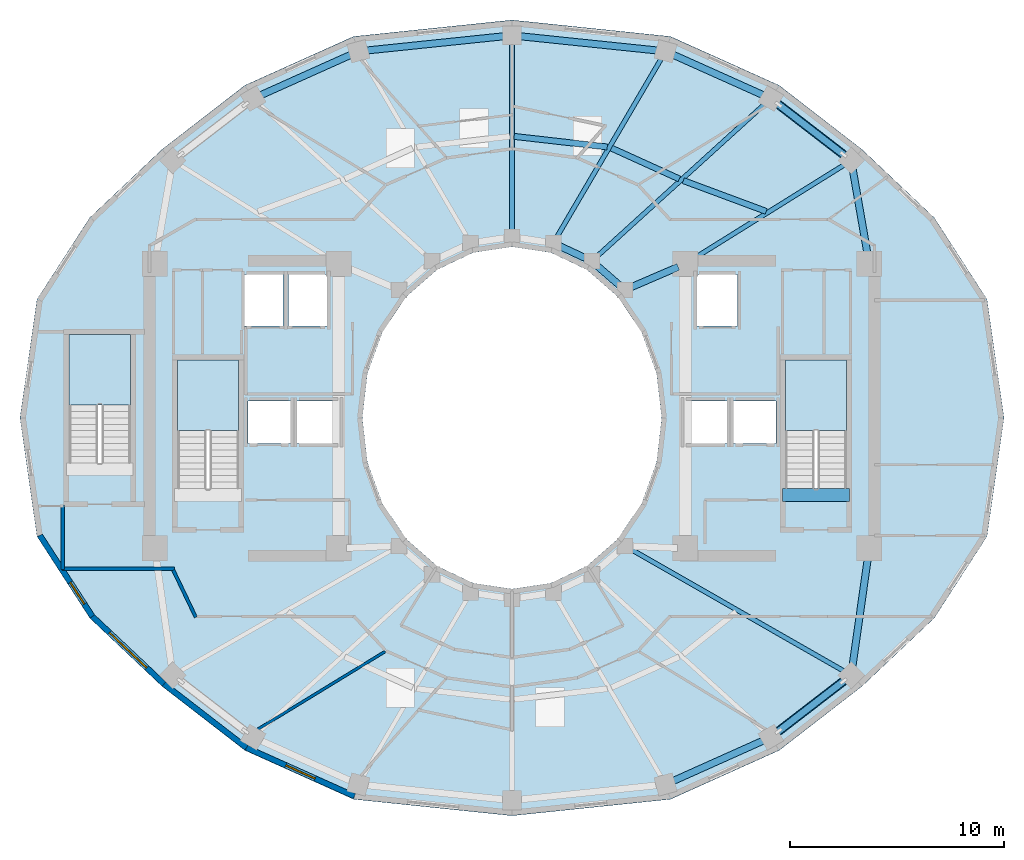
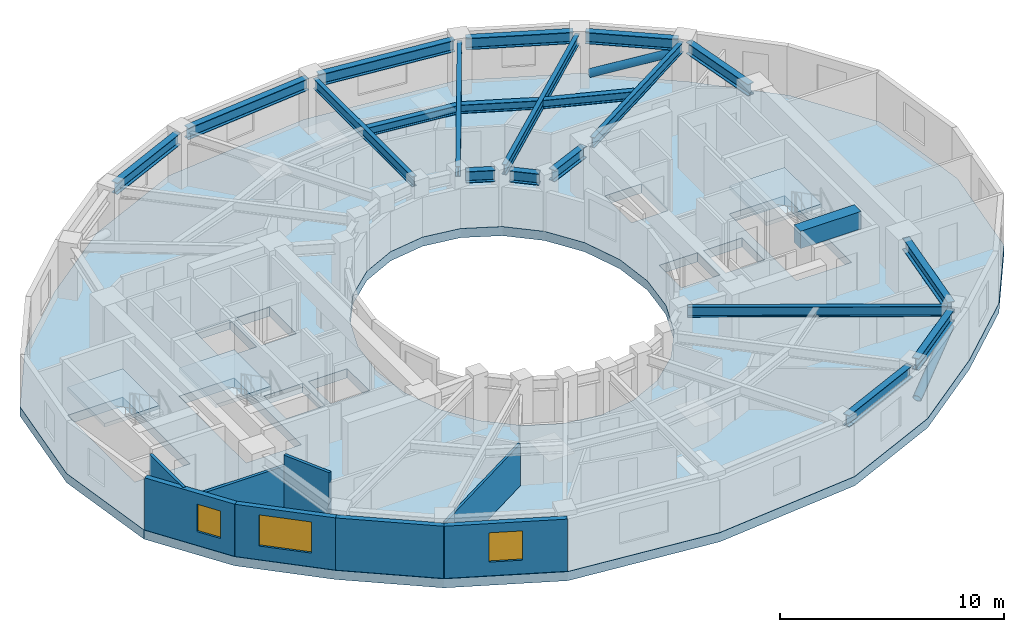
# One storey, part 2 of 9: 21 beams, 8 walls, 4 slabs, 3 windows, 2 members, 3 openings, 3 elements without a shape of their own.
"""IFC4 building model written with IfcOpenShell, lengths in metres."""

from ifc_helpers import new_model, si_unit, direction, frame, frame_2d, origin, origin_2d, place, context, subcontext, project, spatial, polyline, rectangle, hollow_circle, i_section, outline, extrude, material, layer, layer_set, material_profile, profile_set, type_object, element, fill, aggregate, save


model = new_model("IFC4")

# Units and contexts
model_context = context("Model", 3, precision=1e-05, world=origin(), true_north=direction((0.0, 1.0)))
body_context = subcontext(model_context, "Body", "Model", "MODEL_VIEW")
ifc_project = project(units=[si_unit("LENGTHUNIT", "METRE"), si_unit("AREAUNIT", "SQUARE_METRE"), si_unit("VOLUMEUNIT", "CUBIC_METRE"), si_unit("PLANEANGLEUNIT", "RADIAN"), si_unit("MASSUNIT", "GRAM", prefix="KILO")], contexts=[model_context])

# Site, building, storey
site_placement = place(None, origin())
site = spatial("IfcSite", under=ifc_project, at=site_placement, CompositionType="ELEMENT")
building_placement = place(site_placement, origin())
building = spatial("IfcBuilding", under=site, at=building_placement, Name="Solvane Sanctuary Tower", CompositionType="ELEMENT")
storey_placement = place(building_placement, frame((0.0, 0.0, 180.800048828125)))
storey = spatial("IfcBuildingStorey", under=building, at=storey_placement, Name="L55", CompositionType="ELEMENT", Elevation=180.800048828125)

# Beams
ifc_material_1 = material(Name="Concrete C70/85", Category="concrete")
ifc_material_profile_1 = material_profile(ifc_material_1, rectangle(XDim=0.60009765625, YDim=0.949951171875, at=origin_2d()), Name="RC600X950")
ifc_profile_set_1 = profile_set([ifc_material_profile_1], Name="Concrete C70/85")
beam_type_1 = type_object("IfcBeamType", Name="Beam B-COUPLE RC600X950", PredefinedType="LINTEL", material=ifc_profile_set_1)
beam_1_placement = place(storey_placement, frame((44.64990234375, 19.399169921875, 2.625), z_axis=(1.0, 0.0, 0.0), x_axis=(0.0, 1.0, 0.0)))
element("IfcBeam", 1, at=beam_1_placement, inside=storey, type_object=beam_type_1, Name="L55 ST-2 Stair Floor Landing Trimmer", PredefinedType="LINTEL", context=body_context, shape_type="SweptSolid", body=[
    extrude(rectangle(XDim=0.60009765625, YDim=0.949951171875, at=origin_2d()), origin(), (0.0, 0.0, 1.0), 3.1201171875),
])
ifc_material_2 = material(Name="Steel ASTM A992 Grade 50", Category="steel")
ifc_material_profile_2 = material_profile(ifc_material_2, i_section(OverallWidth=0.214111328125, OverallDepth=0.549072265625, WebThickness=0.0146484375, FlangeThickness=0.023681640625, FilletRadius=0.014892578125, at=origin_2d()), Name="W21X93")
ifc_profile_set_2 = profile_set([ifc_material_profile_2], Name="Steel ASTM A992 Grade 50")
beam_type_2 = type_object("IfcBeamType", Name="Beam B-RAD-Z3 W21X93", PredefinedType="JOIST", material=ifc_profile_set_2)
beam_2_placement = place(storey_placement, frame((40.405517578125, 30.390380859375, 2.603515625), z_axis=(0.84882685523, 0.528670946658, 0.0), x_axis=(-0.528670946658, 0.84882685523, 0.0)))
element("IfcBeam", 2, at=beam_2_placement, inside=storey, type_object=beam_type_2, Name="L55 Radial Composite Floor Beam 01", PredefinedType="JOIST", context=body_context, shape_type="SweptSolid", body=[
    extrude(i_section(OverallWidth=0.214111328125, OverallDepth=0.549072265625, WebThickness=0.0146484375, FlangeThickness=0.023681640625, FilletRadius=0.014892578125, at=origin_2d()), origin(), (0.0, 0.0, 1.0), 8.498046875),
])
beam_3_placement = place(storey_placement, frame((35.937255859375, 30.514892578125, 2.603515625), z_axis=(0.74020423772, 0.672382098558, 0.0), x_axis=(-0.672382098558, 0.74020423772, 0.0)))
element("IfcBeam", 3, at=beam_3_placement, inside=storey, type_object=beam_type_2, Name="L55 Radial Composite Floor Beam 02", PredefinedType="JOIST", context=body_context, shape_type="SweptSolid", body=[
    extrude(i_section(OverallWidth=0.214111328125, OverallDepth=0.549072265625, WebThickness=0.0146484375, FlangeThickness=0.023681640625, FilletRadius=0.014892578125, at=origin_2d()), origin(), (0.0, 0.0, 1.0), 10.7451171875),
])
beam_4_placement = place(storey_placement, frame((34.072265625, 31.413330078125, 2.603515625), z_axis=(0.505243742555, 0.862976686017, 0.0), x_axis=(-0.862976686017, 0.505243742555, 0.0)))
element("IfcBeam", 4, at=beam_4_placement, inside=storey, type_object=beam_type_2, Name="L55 Radial Composite Floor Beam 03", PredefinedType="JOIST", context=body_context, shape_type="SweptSolid", body=[
    extrude(i_section(OverallWidth=0.214111328125, OverallDepth=0.549072265625, WebThickness=0.0146484375, FlangeThickness=0.023681640625, FilletRadius=0.014892578125, at=origin_2d()), origin(), (0.0, 0.0, 1.0), 9.826171875),
])
beam_5_placement = place(storey_placement, frame((32.0, 31.739990234375, 2.603515625), z_axis=(0.0, 1.0, 0.0), x_axis=(-1.0, 0.0, 0.0)))
element("IfcBeam", 5, at=beam_5_placement, inside=storey, type_object=beam_type_2, Name="L55 Radial Composite Floor Beam 04", PredefinedType="JOIST", context=body_context, shape_type="SweptSolid", body=[
    extrude(i_section(OverallWidth=0.214111328125, OverallDepth=0.549072265625, WebThickness=0.0146484375, FlangeThickness=0.023681640625, FilletRadius=0.014892578125, at=origin_2d()), origin(), (0.0, 0.0, 1.0), 8.860107421875),
])
beam_6_placement = place(storey_placement, frame((37.51806640625, 16.87890625, 2.603515625), z_axis=(0.86816302692, -0.496279113694, 0.0), x_axis=(0.496279113694, 0.86816302692, 0.0)))
element("IfcBeam", 6, at=beam_6_placement, inside=storey, type_object=beam_type_2, Name="L55 Radial Composite Floor Beam 14", PredefinedType="JOIST", context=body_context, shape_type="SweptSolid", body=[
    extrude(i_section(OverallWidth=0.214111328125, OverallDepth=0.549072265625, WebThickness=0.0146484375, FlangeThickness=0.023681640625, FilletRadius=0.014892578125, at=origin_2d()), origin(), (0.0, 0.0, 1.0), 11.62841796875),
])
ifc_material_profile_3 = material_profile(ifc_material_2, i_section(OverallWidth=0.324951171875, OverallDepth=0.615966796875, WebThickness=0.013916015625, FlangeThickness=0.021484375, FilletRadius=0.01611328125, at=origin_2d()), Name="W24X117")
ifc_profile_set_3 = profile_set([ifc_material_profile_3], Name="Steel ASTM A992 Grade 50")
beam_type_3 = type_object("IfcBeamType", Name="Beam B-RING-IN2 W24X117", PredefinedType="BEAM", material=ifc_profile_set_3)
beam_7_placement = place(storey_placement, frame((34.2431640625, 31.02490234375, 2.570068359375), z_axis=(0.9051808128, -0.425026700502, 0.0), x_axis=(0.425026700502, 0.9051808128, 0.0)))
element("IfcBeam", 7, at=beam_7_placement, inside=storey, type_object=beam_type_3, Name="L55 Inner Light-Well Ring Beam IC03-IC02", PredefinedType="BEAM", context=body_context, shape_type="SweptSolid", body=[
    extrude(i_section(OverallWidth=0.324951171875, OverallDepth=0.615966796875, WebThickness=0.013916015625, FlangeThickness=0.021484375, FilletRadius=0.01611328125, at=origin_2d()), origin(), (0.0, 0.0, 1.0), 1.297607421875),
])
beam_8_placement = place(storey_placement, frame((35.990234375, 30.10009765625, 2.570068359375), z_axis=(0.754311313851, -0.656516901379, 0.0), x_axis=(0.656516901379, 0.754311313851, 0.0)))
element("IfcBeam", 8, at=beam_8_placement, inside=storey, type_object=beam_type_3, Name="L55 Inner Light-Well Ring Beam IC02-IC01", PredefinedType="BEAM", context=body_context, shape_type="SweptSolid", body=[
    extrude(i_section(OverallWidth=0.324951171875, OverallDepth=0.615966796875, WebThickness=0.013916015625, FlangeThickness=0.021484375, FilletRadius=0.01611328125, at=origin_2d()), origin(), (0.0, 0.0, 1.0), 1.358154296875),
])
beam_9_placement = place(storey_placement, frame((37.591796875, 29.11865234375, 2.570068359375), z_axis=(0.918264067649, 0.395968561966, 0.0), x_axis=(-0.395968561966, 0.918264067649, 0.0)))
element("IfcBeam", 9, at=beam_9_placement, inside=storey, type_object=beam_type_3, Name="L55 Inner Light-Well Ring Beam IC01-CE4", PredefinedType="BEAM", context=body_context, shape_type="SweptSolid", body=[
    extrude(i_section(OverallWidth=0.324951171875, OverallDepth=0.615966796875, WebThickness=0.013916015625, FlangeThickness=0.021484375, FilletRadius=0.01611328125, at=origin_2d()), origin(), (0.0, 0.0, 1.0), 2.371337890625),
])
ifc_material_profile_4 = material_profile(ifc_material_2, i_section(OverallWidth=0.280029296875, OverallDepth=0.462890625, WebThickness=0.0107421875, FlangeThickness=0.017333984375, FilletRadius=0.013916015625, at=origin_2d()), Name="W18X76")
ifc_profile_set_4 = profile_set([ifc_material_profile_4], Name="Steel ASTM A992 Grade 50")
beam_type_4 = type_object("IfcBeamType", Name="Beam B-SEC-JOIST W18X76", PredefinedType="JOIST", material=ifc_profile_set_4)
beam_10_placement = place(storey_placement, frame((32.101318359375, 36.158447265625, 2.646484375), z_axis=(0.993621305354, -0.112768353477, 0.0), x_axis=(0.112768353477, 0.993621305354, 0.0)))
element("IfcBeam", 10, at=beam_10_placement, inside=storey, type_object=beam_type_4, Name="L55 Secondary Circumferential Joist 04-03", PredefinedType="JOIST", context=body_context, shape_type="SweptSolid", body=[
    extrude(i_section(OverallWidth=0.280029296875, OverallDepth=0.462890625, WebThickness=0.0107421875, FlangeThickness=0.017333984375, FilletRadius=0.013916015625, at=origin_2d()), origin(), (0.0, 0.0, 1.0), 4.379638671875),
])
beam_11_placement = place(storey_placement, frame((36.6474609375, 35.61083984375, 2.646484375), z_axis=(0.91050074995, -0.413507417516, 0.0), x_axis=(0.413507417516, 0.91050074995, 0.0)))
element("IfcBeam", 11, at=beam_11_placement, inside=storey, type_object=beam_type_4, Name="L55 Secondary Circumferential Joist 03-02", PredefinedType="JOIST", context=body_context, shape_type="SweptSolid", body=[
    extrude(i_section(OverallWidth=0.280029296875, OverallDepth=0.462890625, WebThickness=0.0107421875, FlangeThickness=0.017333984375, FilletRadius=0.013916015625, at=origin_2d()), origin(), (0.0, 0.0, 1.0), 3.48583984375),
])
beam_12_placement = place(storey_placement, frame((40.009765625, 34.091796875, 2.646484375), z_axis=(0.937258220662, -0.34863595311, 0.0), x_axis=(0.34863595311, 0.937258220662, 0.0)))
element("IfcBeam", 12, at=beam_12_placement, inside=storey, type_object=beam_type_4, Name="L55 Secondary Circumferential Joist 02-01", PredefinedType="JOIST", context=body_context, shape_type="SweptSolid", body=[
    extrude(i_section(OverallWidth=0.280029296875, OverallDepth=0.462890625, WebThickness=0.0107421875, FlangeThickness=0.017333984375, FilletRadius=0.013916015625, at=origin_2d()), origin(), (0.0, 0.0, 1.0), 4.13232421875),
])
ifc_material_profile_5 = material_profile(ifc_material_2, i_section(OverallWidth=0.327880859375, OverallDepth=0.6279296875, WebThickness=0.0166015625, FlangeThickness=0.027587890625, FilletRadius=0.01611328125, at=origin_2d()), Name="W24X146")
ifc_profile_set_5 = profile_set([ifc_material_profile_5], Name="Steel ASTM A992 Grade 50")
beam_type_5 = type_object("IfcBeamType", Name="Beam B-SPAND-Z3 W24X146", PredefinedType="SPANDREL", material=ifc_profile_set_5)
beam_13_placement = place(storey_placement, frame((20.157470703125, 38.04248046875, 2.56396484375), z_axis=(0.912414349424, 0.409267705744, 0.0), x_axis=(-0.409267705744, 0.912414349424, 0.0)))
element("IfcBeam", 13, at=beam_13_placement, inside=storey, type_object=beam_type_5, Name="L55 Perimeter Spandrel Beam TC06-TC05", PredefinedType="SPANDREL", context=body_context, shape_type="SweptSolid", body=[
    extrude(i_section(OverallWidth=0.327880859375, OverallDepth=0.6279296875, WebThickness=0.0166015625, FlangeThickness=0.027587890625, FilletRadius=0.01611328125, at=origin_2d()), origin(), (0.0, 0.0, 1.0), 4.831787109375),
])
for number, where, z_axis, x_axis, name in (
    (14, (25.10009765625, 40.16357421875, 2.56396484375), (0.994652761118, 0.103275770632, 0.0), (-0.103275770632, 0.994652761118, 0.0), "L55 Perimeter Spandrel Beam TC05-TC04"),
    (15, (32.278564453125, 40.85107421875, 2.56396484375), (0.994652761118, -0.103275770632, 0.0), (0.103275770632, 0.994652761118, 0.0), "L55 Perimeter Spandrel Beam TC04-TC03"),
):
    element("IfcBeam", number, at=place(storey_placement, frame(where, z_axis=z_axis, x_axis=x_axis)), inside=storey, type_object=beam_type_5, Name=name, PredefinedType="SPANDREL", context=body_context, shape_type="SweptSolid", body=[
        extrude(i_section(OverallWidth=0.327880859375, OverallDepth=0.6279296875, WebThickness=0.0166015625, FlangeThickness=0.027587890625, FilletRadius=0.01611328125, at=origin_2d()), origin(), (0.0, 0.0, 1.0), 6.656982421875),
    ])
beam_14_placement = place(storey_placement, frame((39.433837890625, 40.02001953125, 2.56396484375), z_axis=(0.912414349424, -0.409267705744, 0.0), x_axis=(0.409267705744, 0.912414349424, 0.0)))
element("IfcBeam", 16, at=beam_14_placement, inside=storey, type_object=beam_type_5, Name="L55 Perimeter Spandrel Beam TC03-TC02", PredefinedType="SPANDREL", context=body_context, shape_type="SweptSolid", body=[
    extrude(i_section(OverallWidth=0.327880859375, OverallDepth=0.6279296875, WebThickness=0.0166015625, FlangeThickness=0.027587890625, FilletRadius=0.01611328125, at=origin_2d()), origin(), (0.0, 0.0, 1.0), 4.831787109375),
])
beam_15_placement = place(storey_placement, frame((44.31982421875, 37.757080078125, 2.56396484375), z_axis=(0.792020773873, -0.610494139001, 0.0), x_axis=(0.610494139001, 0.792020773873, 0.0)))
element("IfcBeam", 17, at=beam_15_placement, inside=storey, type_object=beam_type_5, Name="L55 Perimeter Spandrel Beam TC02-TC01", PredefinedType="SPANDREL", context=body_context, shape_type="SweptSolid", body=[
    extrude(i_section(OverallWidth=0.327880859375, OverallDepth=0.6279296875, WebThickness=0.0166015625, FlangeThickness=0.027587890625, FilletRadius=0.01611328125, at=origin_2d()), origin(), (0.0, 0.0, 1.0), 4.185302734375),
])
beam_16_placement = place(storey_placement, frame((47.90478515625, 34.75537109375, 2.56396484375), z_axis=(0.171967263087, -0.985102664917, 0.0), x_axis=(0.985102664917, 0.171967263087, 0.0)))
element("IfcBeam", 18, at=beam_16_placement, inside=storey, type_object=beam_type_5, Name="L55 Perimeter Spandrel Beam TC01-CE3", PredefinedType="SPANDREL", context=body_context, shape_type="SweptSolid", body=[
    extrude(i_section(OverallWidth=0.327880859375, OverallDepth=0.6279296875, WebThickness=0.0166015625, FlangeThickness=0.027587890625, FilletRadius=0.01611328125, at=origin_2d()), origin(), (0.0, 0.0, 1.0), 4.34423828125),
])
beam_17_placement = place(storey_placement, frame((39.433837890625, 5.97998046875, 2.56396484375), z_axis=(0.912414349424, 0.409267705744, 0.0), x_axis=(-0.409267705744, 0.912414349424, 0.0)))
element("IfcBeam", 19, at=beam_17_placement, inside=storey, type_object=beam_type_5, Name="L55 Perimeter Spandrel Beam TC12-TC13", PredefinedType="SPANDREL", context=body_context, shape_type="SweptSolid", body=[
    extrude(i_section(OverallWidth=0.327880859375, OverallDepth=0.6279296875, WebThickness=0.0166015625, FlangeThickness=0.027587890625, FilletRadius=0.01611328125, at=origin_2d()), origin(), (0.0, 0.0, 1.0), 4.831787109375),
])
beam_18_placement = place(storey_placement, frame((44.31982421875, 8.242919921875, 2.56396484375), z_axis=(0.792020773873, 0.610494139001, 0.0), x_axis=(-0.610494139001, 0.792020773873, 0.0)))
element("IfcBeam", 20, at=beam_18_placement, inside=storey, type_object=beam_type_5, Name="L55 Perimeter Spandrel Beam TC13-TC14", PredefinedType="SPANDREL", context=body_context, shape_type="SweptSolid", body=[
    extrude(i_section(OverallWidth=0.327880859375, OverallDepth=0.6279296875, WebThickness=0.0166015625, FlangeThickness=0.027587890625, FilletRadius=0.01611328125, at=origin_2d()), origin(), (0.0, 0.0, 1.0), 4.185302734375),
])
beam_19_placement = place(storey_placement, frame((47.89599609375, 11.24609375, 2.56396484375), z_axis=(0.140798255486, 0.990038307972, 0.0), x_axis=(-0.990038307972, 0.140798255486, 0.0)))
element("IfcBeam", 21, at=beam_19_placement, inside=storey, type_object=beam_type_5, Name="L55 Perimeter Spandrel Beam TC14-CE2", PredefinedType="SPANDREL", context=body_context, shape_type="SweptSolid", body=[
    extrude(i_section(OverallWidth=0.327880859375, OverallDepth=0.6279296875, WebThickness=0.0166015625, FlangeThickness=0.027587890625, FilletRadius=0.01611328125, at=origin_2d()), origin(), (0.0, 0.0, 1.0), 5.430908203125),
])

# Members
ifc_material_profile_6 = material_profile(ifc_material_2, hollow_circle(Radius=0.202880859375, WallThickness=0.012451171875, at=origin_2d()), Name="CHS406X12.5")
ifc_profile_set_6 = profile_set([ifc_material_profile_6], Name="Steel ASTM A992 Grade 50")
member_type = type_object("IfcMemberType", Name="Member M-TUBE-Z3 CHS406X12.5", PredefinedType="BRACE", material=ifc_profile_set_6)
for number, where, z_axis, x_axis, name in (
    (22, (44.465087890625, 37.645263671875, 0.5625), (0.73686018058, -0.568005062922, 0.366616042707), (0.610513708364, 0.792005689311, 0.0), "L55 Perimeter Braced-Tube Diagonal NE"),
    (23, (44.465087890625, 8.354736328125, 0.5625), (0.73686018058, 0.568005062922, 0.366616042707), (-0.610513708364, 0.792005689311, 0.0), "L55 Perimeter Braced-Tube Diagonal SE"),
):
    element("IfcMember", number, at=place(storey_placement, frame(where, z_axis=z_axis, x_axis=x_axis)), inside=storey, type_object=member_type, Name=name, PredefinedType="BRACE", context=body_context, shape_type="SweptSolid", body=[
        extrude(hollow_circle(Radius=0.202880859375, WallThickness=0.012451171875, at=origin_2d()), origin(), (0.0, 0.0, 1.0), 4.104736328125),
    ])

# Stair, slab
ifc_material_3 = material(Name="Concrete C45/55", Category="concrete")
stair_type = type_object("IfcStairType", Name="Stair ST-TOW", PredefinedType="HALF_TURN_STAIR", material=ifc_material_3)
stair_1_placement = place(storey_placement, origin())
stair_1 = element("IfcStair", 24, at=stair_1_placement, inside=storey, type_object=stair_type, Name="L55 Exit Stair ST-1 West Core", PredefinedType="HALF_TURN_STAIR")
ifc_layer_1 = layer(ifc_material_3, 0.199951171875, Name="Concrete C45/55")
ifc_layer_set_1 = layer_set([ifc_layer_1], Name="Concrete C45/55")
slab_type_1 = type_object("IfcSlabType", Name="Slab SL-LAND-180", PredefinedType="LANDING", material=ifc_layer_set_1)
slab_1_placement = place(storey_placement, frame((0.0, 0.0, 1.349853515625)))
slab_1 = element("IfcSlab", 25, at=slab_1_placement, type_object=slab_type_1, Name="ST-1 landing 1", PredefinedType="LANDING", context=body_context, shape_type="SweptSolid", body=[
    extrude(outline(polyline([(19.219970703125, 22.39990234375), (19.219970703125, 25.699951171875), (16.360107421875, 25.699951171875), (16.360107421875, 22.39990234375), (19.219970703125, 22.39990234375)])), origin(), (0.0, 0.0, 1.0), 0.2001953125),
])
aggregate(stair_1, [slab_1])

stair_2_placement = place(storey_placement, origin())
stair_2 = element("IfcStair", 26, at=stair_2_placement, inside=storey, type_object=stair_type, Name="L55 Exit Stair ST-2 East Core", PredefinedType="HALF_TURN_STAIR")
slab_2_placement = place(storey_placement, frame((0.0, 0.0, 1.349853515625)))
slab_2 = element("IfcSlab", 27, at=slab_2_placement, type_object=slab_type_1, Name="ST-2 landing 1", PredefinedType="LANDING", context=body_context, shape_type="SweptSolid", body=[
    extrude(outline(polyline([(47.639892578125, 22.39990234375), (47.639892578125, 25.699951171875), (44.780029296875, 25.699951171875), (44.780029296875, 22.39990234375), (47.639892578125, 22.39990234375)])), origin(), (0.0, 0.0, 1.0), 0.2001953125),
])
aggregate(stair_2, [slab_2])

stair_3_placement = place(storey_placement, origin())
stair_3 = element("IfcStair", 28, at=stair_3_placement, inside=storey, type_object=stair_type, Name="L55 Exit Stair ST-3 Pilgrim Tower Stair", PredefinedType="HALF_TURN_STAIR")
slab_3_placement = place(storey_placement, frame((0.0, 0.0, 1.349853515625)))
slab_3 = element("IfcSlab", 29, at=slab_3_placement, type_object=slab_type_1, Name="ST-3 landing 1", PredefinedType="LANDING", context=body_context, shape_type="SweptSolid", body=[
    extrude(outline(polyline([(14.159912109375, 23.60009765625), (14.159912109375, 26.89990234375), (11.300048828125, 26.89990234375), (11.300048828125, 23.60009765625), (14.159912109375, 23.60009765625)])), origin(), (0.0, 0.0, 1.0), 0.2001953125),
])
aggregate(stair_3, [slab_3])

# Slab
ifc_material_4 = material(Name="Concrete C60/75", Category="concrete")
ifc_layer_2 = layer(ifc_material_4, 0.5, Name="Concrete C60/75")
ifc_layer_set_2 = layer_set([ifc_layer_2], Name="Concrete C60/75")
slab_type_2 = type_object("IfcSlabType", Name="Slab SL-XFER-500", PredefinedType="FLOOR", material=ifc_layer_set_2)
slab_4_placement = place(storey_placement, frame((0.0, 0.0, -0.5)))
element("IfcSlab", 30, at=slab_4_placement, inside=storey, type_object=slab_type_2, Name="L55 Primary Structural Slab", PredefinedType="FLOOR", context=body_context, shape_type="SweptSolid", body=[
    extrude(outline(polyline([(55.0, 23.0), (54.205322265625, 28.54150390625), (51.7392578125, 32.360107421875), (48.368896484375, 35.54345703125), (44.489013671875, 38.5458984375), (39.410400390625, 40.82958984375), (32.0, 41.60009765625), (24.589599609375, 40.82958984375), (19.510986328125, 38.5458984375), (15.631103515625, 35.54345703125), (12.2607421875, 32.360107421875), (9.794677734375, 28.54150390625), (9.0, 23.0), (9.794677734375, 17.45849609375), (12.2607421875, 13.639892578125), (15.631103515625, 10.45654296875), (19.510986328125, 7.4541015625), (24.589599609375, 5.17041015625), (32.0, 4.39990234375), (39.410400390625, 5.17041015625), (44.489013671875, 7.4541015625), (48.368896484375, 10.45654296875), (51.7392578125, 13.639892578125), (54.205322265625, 17.45849609375), (55.0, 23.0)]), holes=[polyline([(38.761474609375, 20.929443359375), (38.062255859375, 19.0), (36.94970703125, 17.343017578125), (35.5, 16.07177734375), (33.811767578125, 15.272705078125), (32.0, 15.0), (30.188232421875, 15.272705078125), (28.5, 16.07177734375), (27.05029296875, 17.343017578125), (25.937744140625, 19.0), (25.238525390625, 20.929443359375), (25.0, 23.0), (25.238525390625, 25.070556640625), (25.937744140625, 27.0), (27.05029296875, 28.656982421875), (28.5, 29.92822265625), (30.188232421875, 30.727294921875), (32.0, 31.0), (33.811767578125, 30.727294921875), (35.5, 29.92822265625), (36.94970703125, 28.656982421875), (38.062255859375, 27.0), (38.761474609375, 25.070556640625), (39.0, 23.0), (38.761474609375, 20.929443359375)]), polyline([(16.360107421875, 19.699951171875), (16.360107421875, 25.699951171875), (19.219970703125, 25.699951171875), (19.219970703125, 19.699951171875), (16.360107421875, 19.699951171875)]), polyline([(44.780029296875, 19.699951171875), (44.780029296875, 25.699951171875), (47.639892578125, 25.699951171875), (47.639892578125, 19.699951171875), (44.780029296875, 19.699951171875)]), polyline([(11.300048828125, 20.89990234375), (11.300048828125, 26.89990234375), (14.159912109375, 26.89990234375), (14.159912109375, 20.89990234375), (11.300048828125, 20.89990234375)]), polyline([(19.64990234375, 23.800048828125), (21.64990234375, 23.800048828125), (21.64990234375, 21.800048828125), (19.64990234375, 21.800048828125), (19.64990234375, 23.800048828125)]), polyline([(42.35009765625, 23.800048828125), (44.35009765625, 23.800048828125), (44.35009765625, 21.800048828125), (42.35009765625, 21.800048828125), (42.35009765625, 23.800048828125)]), polyline([(21.949951171875, 23.800048828125), (23.949951171875, 23.800048828125), (23.949951171875, 21.800048828125), (21.949951171875, 21.800048828125), (21.949951171875, 23.800048828125)]), polyline([(40.050048828125, 23.800048828125), (42.050048828125, 23.800048828125), (42.050048828125, 21.800048828125), (40.050048828125, 21.800048828125), (40.050048828125, 23.800048828125)]), polyline([(19.5, 29.699951171875), (21.300048828125, 29.699951171875), (21.300048828125, 27.300048828125), (19.5, 27.300048828125), (19.5, 29.699951171875)]), polyline([(21.550048828125, 29.699951171875), (23.35009765625, 29.699951171875), (23.35009765625, 27.300048828125), (21.550048828125, 27.300048828125), (21.550048828125, 29.699951171875)]), polyline([(40.64990234375, 29.699951171875), (42.550048828125, 29.699951171875), (42.550048828125, 27.300048828125), (40.64990234375, 27.300048828125), (40.64990234375, 29.699951171875)])]), origin(), (0.0, 0.0, 1.0), 0.5),
])

# Walls
ifc_material_5 = material(Name="Acoustic Gypsum Partition Board")
ifc_layer_3 = layer(ifc_material_5, 0.14990234375, Name="Acoustic Gypsum Partition Board")
ifc_layer_set_3 = layer_set([ifc_layer_3], Name="Acoustic Gypsum Partition Board")
wall_type_1 = type_object("IfcWallType", Name="Wall W-CORR-150", PredefinedType="PARTITIONING", material=ifc_layer_set_3)
wall_1_placement = place(storey_placement, frame((11.0, 15.909912109375, 0.0), z_axis=(0.0, 0.0, 1.0), x_axis=(0.0, 1.0, 0.0)))
element("IfcWall", 31, at=wall_1_placement, inside=storey, type_object=wall_type_1, Name="L55 SW Corner Closer 2", PredefinedType="PARTITIONING", context=body_context, shape_type="SweptSolid", body=[
    extrude(rectangle(XDim=3.010009765625, YDim=0.14990234375, at=frame_2d((1.5048828125, 0.0))), origin(), (0.0, 0.0, 1.0), 2.85498046875),
])
wall_2_placement = place(storey_placement, frame((10.9599609375, 15.949951171875, 0.0), z_axis=(0.0, 0.0, 1.0), x_axis=(1.0, 0.0, 0.0)))
element("IfcWall", 32, at=wall_2_placement, inside=storey, type_object=wall_type_1, Name="L55 SW Corner Closer 3", PredefinedType="PARTITIONING", context=body_context, shape_type="SweptSolid", body=[
    extrude(rectangle(XDim=5.260009765625, YDim=0.14990234375, at=frame_2d((2.6298828125, 0.0))), origin(), (0.0, 0.0, 1.0), 2.219970703125),
])
wall_3_placement = place(storey_placement, frame((17.2216796875, 13.6748046875, 0.0), z_axis=(0.0, 0.0, 1.0), x_axis=(-0.431973389813, 0.901886351207, 0.0)))
element("IfcWall", 33, at=wall_3_placement, inside=storey, type_object=wall_type_1, Name="L55 SW Corner Wing Wall", PredefinedType="PARTITIONING", context=body_context, shape_type="SweptSolid", body=[
    extrude(rectangle(XDim=2.45166015625, YDim=0.14990234375, at=frame_2d((1.225830078125, 0.0))), origin(), (0.0, 0.0, 1.0), 2.85498046875),
])

# Wall, opening, window
ifc_material_6 = material(Name="Precast concrete C40/50", Category="concrete")
ifc_layer_4 = layer(ifc_material_6, 0.260009765625, Name="Precast concrete C40/50")
ifc_layer_set_4 = layer_set([ifc_layer_4], Name="Precast concrete C40/50")
wall_type_2 = type_object("IfcWallType", Name="Wall W-EXT-250", PredefinedType="STANDARD", material=ifc_layer_set_4)
wall_4_placement = place(storey_placement, frame((9.9296875, 17.50341796875, 0.0), z_axis=(0.0, 0.0, 1.0), x_axis=(0.543358984534, -0.839500454989, 0.0)))
wall_4 = element("IfcWall", 34, at=wall_4_placement, inside=storey, type_object=wall_type_2, Name="L55 Ceramic-Printed Facade Wall 13", PredefinedType="STANDARD", context=body_context, shape_type="SweptSolid", body=[
    extrude(rectangle(XDim=4.51123046875, YDim=0.260009765625, at=frame_2d((2.255615234375, 0.0))), origin(), (0.0, 0.0, 1.0), 2.849853515625),
])
opening_1_placement = place(wall_4_placement, frame((2.615478515625, 0.0, 0.75)))
opening_1 = element("IfcOpeningElement", 35, at=opening_1_placement, cuts=wall_4, Name="Opening WN-OPER-1200", PredefinedType="OPENING", context=body_context, shape_type="SweptSolid", body=[
    extrude(rectangle(XDim=1.199951171875, YDim=1.5, at=frame_2d((0.60009765625, 0.75))), frame((0.0, 0.139892578125, 0.0), z_axis=(0.0, -1.0, 0.0), x_axis=(1.0, 0.0, 0.0)), (0.0, 0.0, 1.0), 0.280029296875),
])
ifc_material_7 = material(Name="Dark Ceramic-Fritted Low-E Glass", Category="glass")
window_type_1 = type_object("IfcWindowType", Name="Window WN-OPER-1200", PartitioningType="SINGLE_PANEL", PredefinedType="WINDOW", material=ifc_material_7)
window_1_placement = place(opening_1_placement, origin())
window_1 = element("IfcWindow", 36, at=window_1_placement, inside=storey, type_object=window_type_1, Name="L55 Operable Facade Window 13", OverallHeight=1.5, OverallWidth=1.199951171875, PartitioningType="SINGLE_PANEL", PredefinedType="WINDOW", context=body_context, shape_type="SweptSolid", body=[
    extrude(rectangle(XDim=1.199951171875, YDim=1.5, at=frame_2d((0.60009765625, 0.75))), frame((0.0, 0.030029296875, 0.0), z_axis=(0.0, -1.0, 0.0), x_axis=(1.0, 0.0, 0.0)), (0.0, 0.0, 1.0), 0.06005859375),
])
fill(opening_1, window_1)

wall_5_placement = place(storey_placement, frame((12.380859375, 13.71630859375, 0.0), z_axis=(0.0, 0.0, 1.0), x_axis=(0.727667301037, -0.68593024354, 0.0)))
wall_5 = element("IfcWall", 37, at=wall_5_placement, inside=storey, type_object=wall_type_2, Name="L55 Ceramic-Printed Facade Wall 14", PredefinedType="STANDARD", context=body_context, shape_type="SweptSolid", body=[
    extrude(rectangle(XDim=4.603515625, YDim=0.260009765625, at=frame_2d((2.3017578125, 0.0))), origin(), (0.0, 0.0, 1.0), 2.849853515625),
])
opening_2_placement = place(wall_5_placement, frame((1.101806640625, 0.0, 0.75)))
opening_2 = element("IfcOpeningElement", 38, at=opening_2_placement, cuts=wall_5, Name="Opening WN-RIB-2400", PredefinedType="OPENING", context=body_context, shape_type="SweptSolid", body=[
    extrude(rectangle(XDim=2.39990234375, YDim=1.699951171875, at=frame_2d((1.199951171875, 0.85009765625))), frame((0.0, 0.139892578125, 0.0), z_axis=(0.0, -1.0, 0.0), x_axis=(1.0, 0.0, 0.0)), (0.0, 0.0, 1.0), 0.280029296875),
])
window_type_2 = type_object("IfcWindowType", Name="Window WN-RIB-2400", PartitioningType="SINGLE_PANEL", PredefinedType="WINDOW", material=ifc_material_7)
window_2_placement = place(opening_2_placement, origin())
window_2 = element("IfcWindow", 39, at=window_2_placement, inside=storey, type_object=window_type_2, Name="L55 Operable Facade Window 14", OverallHeight=1.699951171875, OverallWidth=2.39990234375, PartitioningType="SINGLE_PANEL", PredefinedType="WINDOW", context=body_context, shape_type="SweptSolid", body=[
    extrude(rectangle(XDim=2.39990234375, YDim=1.699951171875, at=frame_2d((1.199951171875, 0.85009765625))), frame((0.0, 0.030029296875, 0.0), z_axis=(0.0, -1.0, 0.0), x_axis=(1.0, 0.0, 0.0)), (0.0, 0.0, 1.0), 0.06005859375),
])
fill(opening_2, window_2)

# Wall
wall_6_placement = place(storey_placement, frame((15.730712890625, 10.55859375, 0.0), z_axis=(0.0, 0.0, 1.0), x_axis=(0.791460185804, -0.611220724687, 0.0)))
element("IfcWall", 40, at=wall_6_placement, inside=storey, type_object=wall_type_2, Name="L55 Ceramic-Printed Facade Wall 15", PredefinedType="STANDARD", context=body_context, shape_type="SweptSolid", body=[
    extrude(rectangle(XDim=4.872314453125, YDim=0.260009765625, at=frame_2d((2.43603515625, 0.0))), origin(), (0.0, 0.0, 1.0), 2.849853515625),
])

# Wall, opening, window
wall_7_placement = place(storey_placement, frame((19.5869140625, 7.58056640625, 0.0), z_axis=(0.0, 0.0, 1.0), x_axis=(0.912353637112, -0.409403029847, 0.0)))
wall_7 = element("IfcWall", 41, at=wall_7_placement, inside=storey, type_object=wall_type_2, Name="L55 Ceramic-Printed Facade Wall 16", PredefinedType="STANDARD", context=body_context, shape_type="SweptSolid", body=[
    extrude(rectangle(XDim=5.53271484375, YDim=0.260009765625, at=frame_2d((2.766357421875, 0.0))), origin(), (0.0, 0.0, 1.0), 2.849853515625),
])
opening_3_placement = place(wall_7_placement, frame((2.016357421875, 0.0, 0.75)))
opening_3 = element("IfcOpeningElement", 42, at=opening_3_placement, cuts=wall_7, Name="Opening WN-OPER-1500", PredefinedType="OPENING", context=body_context, shape_type="SweptSolid", body=[
    extrude(rectangle(XDim=1.5, YDim=1.60009765625, at=frame_2d((0.75, 0.800048828125))), frame((0.0, 0.139892578125, 0.0), z_axis=(0.0, -1.0, 0.0), x_axis=(1.0, 0.0, 0.0)), (0.0, 0.0, 1.0), 0.280029296875),
])
window_type_3 = type_object("IfcWindowType", Name="Window WN-OPER-1500", PartitioningType="SINGLE_PANEL", PredefinedType="WINDOW", material=ifc_material_7)
window_3_placement = place(opening_3_placement, origin())
window_3 = element("IfcWindow", 43, at=window_3_placement, inside=storey, type_object=window_type_3, Name="L55 Operable Facade Window 16", OverallHeight=1.60009765625, OverallWidth=1.5, PartitioningType="SINGLE_PANEL", PredefinedType="WINDOW", context=body_context, shape_type="SweptSolid", body=[
    extrude(rectangle(XDim=1.5, YDim=1.60009765625, at=frame_2d((0.75, 0.800048828125))), frame((0.0, 0.030029296875, 0.0), z_axis=(0.0, -1.0, 0.0), x_axis=(1.0, 0.0, 0.0)), (0.0, 0.0, 1.0), 0.06005859375),
])
fill(opening_3, window_3)

# Wall
ifc_layer_5 = layer(ifc_material_5, 0.125, Name="Acoustic Gypsum Partition Board")
ifc_layer_set_5 = layer_set([ifc_layer_5], Name="Acoustic Gypsum Partition Board")
wall_type_3 = type_object("IfcWallType", Name="Wall W-PART-125", PredefinedType="PARTITIONING", material=ifc_layer_set_5)
wall_8_placement = place(storey_placement, frame((26.06201171875, 12.074951171875, 0.0), z_axis=(0.0, 0.0, 1.0), x_axis=(-0.853440334679, -0.521190555501, 0.0)))
element("IfcWall", 44, at=wall_8_placement, inside=storey, type_object=wall_type_3, Name="L55 Radial Compartment Wall 240", PredefinedType="PARTITIONING", context=body_context, shape_type="SweptSolid", body=[
    extrude(rectangle(XDim=6.966064453125, YDim=0.125, at=frame_2d((3.48291015625, 0.0))), origin(), (0.0, 0.0, 1.0), 2.299072265625),
])

save(model, "model.ifc")
